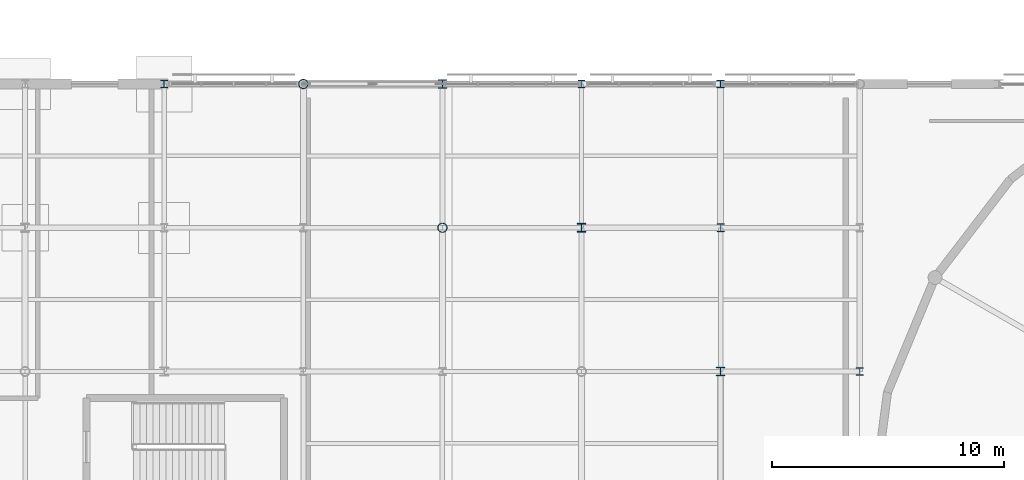
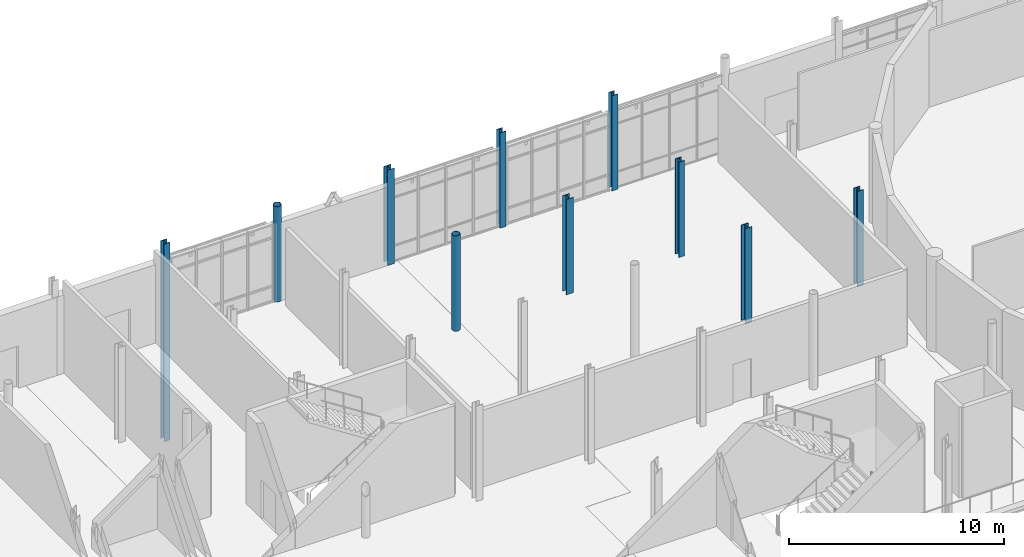
# One storey, part 16 of 98: 10 columns.
"""IFC4 building model written with IfcOpenShell, lengths in metres."""

from ifc_helpers import new_model, si_unit, direction, frame, origin, origin_2d, place, context, subcontext, project, spatial, hollow_circle, i_section, extrude, material, material_profile, profile_set, type_object, element, save


model = new_model("IFC4")

# Units and contexts
model_context = context("Model", 3, precision=1e-05, world=origin(), true_north=direction((0.0, 1.0)))
body_context = subcontext(model_context, "Body", "Model", "MODEL_VIEW")
ifc_project = project(units=[si_unit("LENGTHUNIT", "METRE"), si_unit("AREAUNIT", "SQUARE_METRE"), si_unit("VOLUMEUNIT", "CUBIC_METRE"), si_unit("PLANEANGLEUNIT", "RADIAN"), si_unit("MASSUNIT", "GRAM", prefix="KILO")], contexts=[model_context])

# Site, building, storey
site_placement = place(None, origin())
site = spatial("IfcSite", under=ifc_project, at=site_placement, CompositionType="ELEMENT")
building_placement = place(site_placement, origin())
building = spatial("IfcBuilding", under=site, at=building_placement, Name="Mirzam Square Science Centre", CompositionType="ELEMENT")
storey_placement = place(building_placement, origin())
storey = spatial("IfcBuildingStorey", under=building, at=storey_placement, Name="L00", CompositionType="ELEMENT", Elevation=0.0)

# Columns
ifc_material = material(Name="Steel S355", Category="steel")
ifc_material_profile_1 = material_profile(ifc_material, hollow_circle(Radius=0.203125, WallThickness=0.01611328125, at=origin_2d()), Name="406.4x16.0CHS")
ifc_profile_set_1 = profile_set([ifc_material_profile_1], Name="Steel S355")
column_type_1 = type_object("IfcColumnType", Name="COL-CHS406", PredefinedType="COLUMN", material=ifc_profile_set_1)
for number, where, z_axis, x_axis, name in (
    (1, (36.0, 80.60009765625, 0.0), (0.0, 0.0, 1.0), (1.0, 0.0, 0.0), "L00 column G07-14"),
    (2, (42.0, 74.39990234375, 0.0), (0.0, 0.0, 1.0), (1.0, 0.0, 0.0), "L00 column G08-13"),
):
    element("IfcColumn", number, at=place(storey_placement, frame(where, z_axis=z_axis, x_axis=x_axis)), inside=storey, type_object=column_type_1, Name=name, PredefinedType="COLUMN", context=body_context, shape_type="SweptSolid", body=[
        extrude(hollow_circle(Radius=0.203125, WallThickness=0.01611328125, at=origin_2d()), origin(), (0.0, 0.0, 1.0), 5.39990234375),
    ])
ifc_material_profile_2 = material_profile(ifc_material, i_section(OverallWidth=0.314453125, OverallDepth=0.33984375, WebThickness=0.01904296875, FlangeThickness=0.031494140625, FilletRadius=0.01513671875, at=origin_2d()), Name="305x305x198UC")
ifc_profile_set_2 = profile_set([ifc_material_profile_2], Name="Steel S355")
column_type_2 = type_object("IfcColumnType", Name="COL-UC305B", PredefinedType="COLUMN", material=ifc_profile_set_2)
column_1_placement = place(storey_placement, frame((30.0, 80.60009765625, -5.800048828125), z_axis=(0.0, 0.0, 1.0), x_axis=(1.0, 0.0, 0.0)))
element("IfcColumn", 3, at=column_1_placement, inside=storey, type_object=column_type_2, Name="L00 column G06-14", PredefinedType="COLUMN", context=body_context, shape_type="SweptSolid", body=[
    extrude(i_section(OverallWidth=0.314453125, OverallDepth=0.33984375, WebThickness=0.01904296875, FlangeThickness=0.031494140625, FilletRadius=0.01513671875, at=origin_2d()), origin(), (0.0, 0.0, 1.0), 11.199951171875),
])
column_2_placement = place(storey_placement, frame((54.0, 80.60009765625, 0.0), z_axis=(0.0, 0.0, 1.0), x_axis=(1.0, 0.0, 0.0)))
element("IfcColumn", 4, at=column_2_placement, inside=storey, type_object=column_type_2, Name="L00 column G10-14", PredefinedType="COLUMN", context=body_context, shape_type="SweptSolid", body=[
    extrude(i_section(OverallWidth=0.314453125, OverallDepth=0.33984375, WebThickness=0.01904296875, FlangeThickness=0.031494140625, FilletRadius=0.01513671875, at=origin_2d()), origin(), (0.0, 0.0, 1.0), 5.39990234375),
])
ifc_material_profile_3 = material_profile(ifc_material, i_section(OverallWidth=0.318359375, OverallDepth=0.3525390625, WebThickness=0.02294921875, FlangeThickness=0.03759765625, FilletRadius=0.01513671875, at=origin_2d()), Name="305x305x240UC")
ifc_profile_set_3 = profile_set([ifc_material_profile_3], Name="Steel S355")
column_type_3 = type_object("IfcColumnType", Name="COL-UC305C", PredefinedType="COLUMN", material=ifc_profile_set_3)
for number, where, z_axis, x_axis, name in (
    (5, (48.0, 80.60009765625, 0.0), (0.0, 0.0, 1.0), (1.0, 0.0, 0.0), "L00 column G09-14"),
    (6, (54.0, 74.39990234375, 0.0), (0.0, 0.0, 1.0), (1.0, 0.0, 0.0), "L00 column G10-13"),
    (7, (60.0, 68.199951171875, 0.0), (0.0, 0.0, 1.0), (1.0, 0.0, 0.0), "L00 column G11-12"),
):
    element("IfcColumn", number, at=place(storey_placement, frame(where, z_axis=z_axis, x_axis=x_axis)), inside=storey, type_object=column_type_3, Name=name, PredefinedType="COLUMN", context=body_context, shape_type="SweptSolid", body=[
        extrude(i_section(OverallWidth=0.318359375, OverallDepth=0.3525390625, WebThickness=0.02294921875, FlangeThickness=0.03759765625, FilletRadius=0.01513671875, at=origin_2d()), origin(), (0.0, 0.0, 1.0), 5.39990234375),
    ])
ifc_material_profile_4 = material_profile(ifc_material, i_section(OverallWidth=0.374755859375, OverallDepth=0.37451171875, WebThickness=0.0166015625, FlangeThickness=0.027099609375, FilletRadius=0.01513671875, at=origin_2d()), Name="356x368x202UC")
ifc_profile_set_4 = profile_set([ifc_material_profile_4], Name="Steel S355")
column_type_4 = type_object("IfcColumnType", Name="COL-UC356A", PredefinedType="COLUMN", material=ifc_profile_set_4)
for number, where, z_axis, x_axis, name in (
    (8, (42.0, 80.60009765625, 0.0), (0.0, 0.0, 1.0), (1.0, 0.0, 0.0), "L00 column G08-14"),
    (9, (48.0, 74.39990234375, 0.0), (0.0, 0.0, 1.0), (1.0, 0.0, 0.0), "L00 column G09-13"),
    (10, (54.0, 68.199951171875, 0.0), (0.0, 0.0, 1.0), (1.0, 0.0, 0.0), "L00 column G10-12"),
):
    element("IfcColumn", number, at=place(storey_placement, frame(where, z_axis=z_axis, x_axis=x_axis)), inside=storey, type_object=column_type_4, Name=name, PredefinedType="COLUMN", context=body_context, shape_type="SweptSolid", body=[
        extrude(i_section(OverallWidth=0.374755859375, OverallDepth=0.37451171875, WebThickness=0.0166015625, FlangeThickness=0.027099609375, FilletRadius=0.01513671875, at=origin_2d()), origin(), (0.0, 0.0, 1.0), 5.39990234375),
    ])

save(model, "model.ifc")
